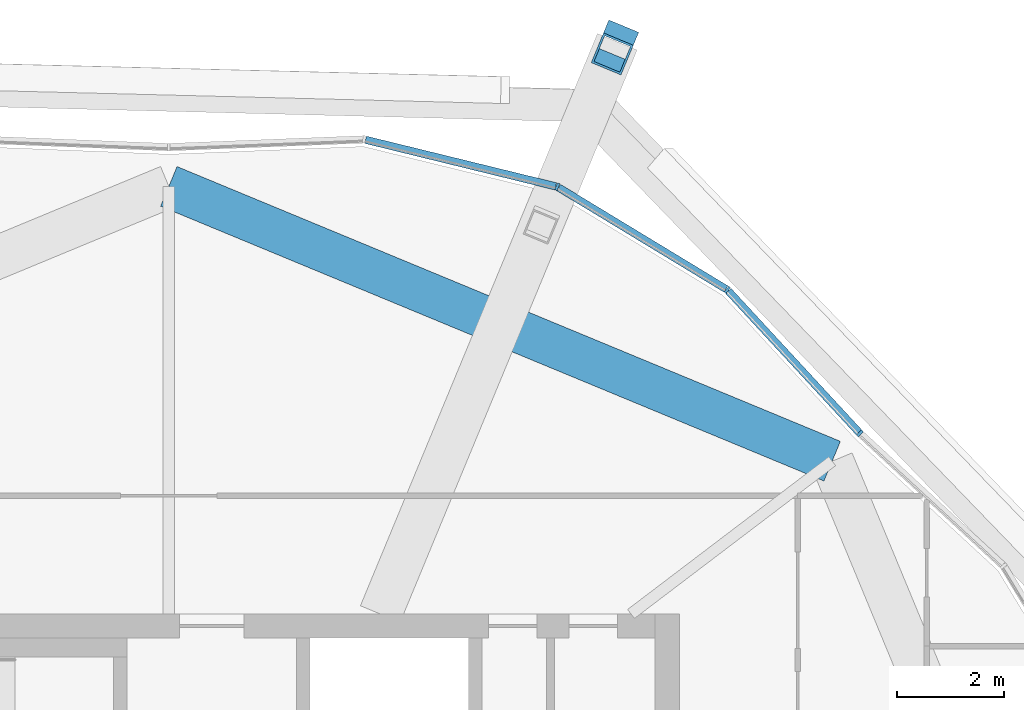
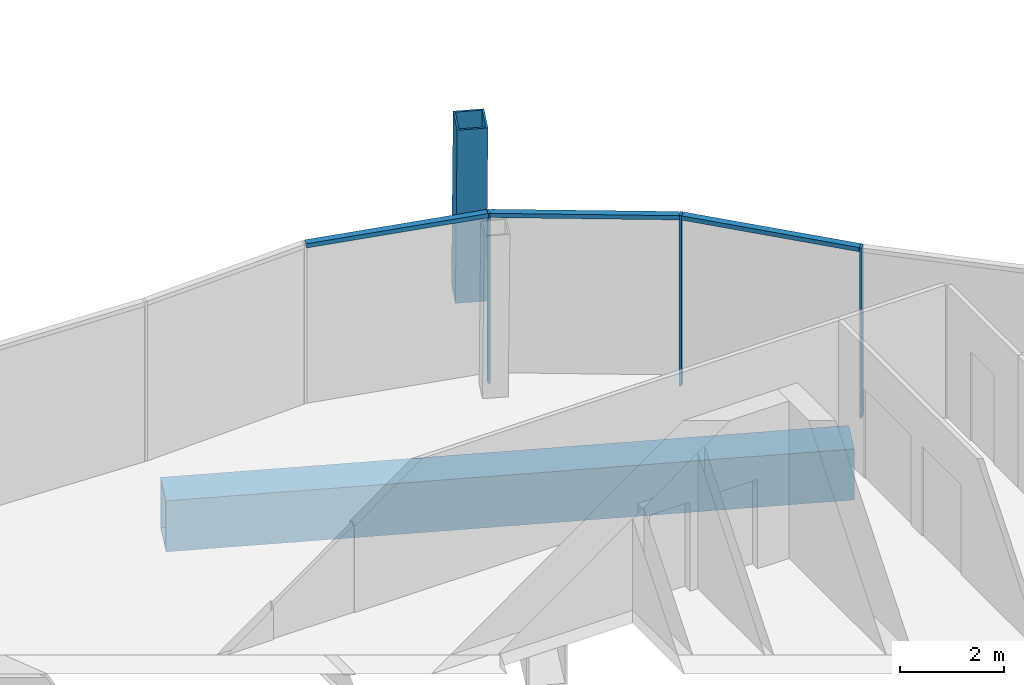
# One storey, part 12 of 34: 7 members, 1 beam, 2 elements without a shape of their own.
"""IFC4 building model written with IfcOpenShell, lengths in metres."""

from ifc_helpers import new_model, si_unit, direction, frame, origin, origin_2d, place, context, subcontext, project, spatial, rectangle, hollow_rectangle, extrude, material, material_profile, profile_set, type_object, element, aggregate, save


model = new_model("IFC4")

# Units and contexts
model_context = context("Model", 3, precision=1e-05, world=origin(), true_north=direction((0.0, 1.0)))
body_context = subcontext(model_context, "Body", "Model", "MODEL_VIEW")
ifc_project = project(units=[si_unit("LENGTHUNIT", "METRE"), si_unit("AREAUNIT", "SQUARE_METRE"), si_unit("VOLUMEUNIT", "CUBIC_METRE"), si_unit("PLANEANGLEUNIT", "RADIAN"), si_unit("MASSUNIT", "GRAM", prefix="KILO")], contexts=[model_context])

# Site, building, storey
site_placement = place(None, origin())
site = spatial("IfcSite", under=ifc_project, at=site_placement, CompositionType="ELEMENT")
building_placement = place(site_placement, origin())
building = spatial("IfcBuilding", under=site, at=building_placement, Name="Ogive Gate Towers", CompositionType="ELEMENT")
storey_placement = place(building_placement, frame((0.0, 0.0, 294.0)))
storey = spatial("IfcBuildingStorey", under=building, at=storey_placement, Name="L69", CompositionType="ELEMENT", Elevation=294.0)

# Curtain wall, member
ifc_material_1 = material(Name="Pale metal aluminium", Category="aluminium")
curtain_wall_type = type_object("IfcCurtainWallType", Name="Crown lean wall", PredefinedType="NOTDEFINED", material=ifc_material_1)
curtain_wall_1_placement = place(storey_placement, origin())
curtain_wall_1 = element("IfcCurtainWall", 1, at=curtain_wall_1_placement, inside=storey, type_object=curtain_wall_type, Name="CW5 T1 ECW01", PredefinedType="NOTDEFINED")
ifc_material_profile_1 = material_profile(ifc_material_1, rectangle(XDim=0.139892578125, YDim=0.050048828125, at=origin_2d()), Name="50 x 140 aluminium box")
ifc_profile_set_1 = profile_set([ifc_material_profile_1], Name="Pale metal aluminium")
member_type_1 = type_object("IfcMemberType", Name="Crown lean wall mullion 50 x 140", PredefinedType="MULLION", material=ifc_profile_set_1)
member_1_placement = place(storey_placement, frame((-23.14208984375, 12.859619140625, -0.300048828125), z_axis=(0.0, 0.0, 1.0), x_axis=(-0.678557197649, -0.734547567907, 0.0)))
member_1 = element("IfcMember", 2, at=member_1_placement, type_object=member_type_1, Name="CW5 mullion", PredefinedType="MULLION", context=body_context, shape_type="SweptSolid", body=[
    extrude(rectangle(XDim=0.139892578125, YDim=0.050048828125, at=origin_2d()), origin(), (0.0, 0.0, 1.0), 4.0),
])
aggregate(curtain_wall_1, [member_1])

# Curtain wall, members
curtain_wall_2_placement = place(storey_placement, origin())
curtain_wall_2 = element("IfcCurtainWall", 3, at=curtain_wall_2_placement, inside=storey, type_object=curtain_wall_type, Name="CW5 T1 ECW02", PredefinedType="NOTDEFINED")
member_2_placement = place(storey_placement, frame((-28.772705078125, 17.448486328125, -0.300048828125), z_axis=(0.0, 0.0, 1.0), x_axis=(-0.382683432365, -0.923879532511, 0.0)))
member_2 = element("IfcMember", 4, at=member_2_placement, type_object=member_type_1, Name="CW5 mullion", PredefinedType="MULLION", context=body_context, shape_type="SweptSolid", body=[
    extrude(rectangle(XDim=0.139892578125, YDim=0.050048828125, at=origin_2d()), origin(), (0.0, 0.0, 1.0), 4.0),
])
member_3_placement = place(storey_placement, frame((-25.6083984375, 15.529296875, -0.300048828125), z_axis=(0.0, 0.0, 1.0), x_axis=(-0.632759389826, -0.77434847103, 0.0)))
member_3 = element("IfcMember", 5, at=member_3_placement, type_object=member_type_1, Name="CW5 mullion", PredefinedType="MULLION", context=body_context, shape_type="SweptSolid", body=[
    extrude(rectangle(XDim=0.139892578125, YDim=0.050048828125, at=origin_2d()), origin(), (0.0, 0.0, 1.0), 4.0),
])
ifc_material_profile_2 = material_profile(ifc_material_1, rectangle(XDim=0.139892578125, YDim=0.10009765625, at=origin_2d()), Name="100 x 140 aluminium box")
ifc_profile_set_2 = profile_set([ifc_material_profile_2], Name="Pale metal aluminium")
member_type_2 = type_object("IfcMemberType", Name="Crown lean wall transom 100 x 140", PredefinedType="USERDEFINED", material=ifc_profile_set_2)
member_4_placement = place(storey_placement, frame((-32.338623046875, 18.322265625, 3.64990234375), z_axis=(0.971286879925, -0.237911321475, 0.0), x_axis=(0.237911321475, 0.971286879925, 0.0)))
member_4 = element("IfcMember", 6, at=member_4_placement, type_object=member_type_2, Name="CW5 transom", ObjectType="TRANSOM", PredefinedType="USERDEFINED", context=body_context, shape_type="SweptSolid", body=[
    extrude(rectangle(XDim=0.139892578125, YDim=0.10009765625, at=origin_2d()), origin(), (0.0, 0.0, 1.0), 3.641845703125),
])
member_5_placement = place(storey_placement, frame((-28.747314453125, 17.43359375, 3.64990234375), z_axis=(0.854998787074, -0.518629997302, 0.0), x_axis=(0.518629997302, 0.854998787074, 0.0)))
member_5 = element("IfcMember", 7, at=member_5_placement, type_object=member_type_2, Name="CW5 transom", ObjectType="TRANSOM", PredefinedType="USERDEFINED", context=body_context, shape_type="SweptSolid", body=[
    extrude(rectangle(XDim=0.139892578125, YDim=0.10009765625, at=origin_2d()), origin(), (0.0, 0.0, 1.0), 3.64208984375),
])
member_6_placement = place(storey_placement, frame((-25.58837890625, 15.508056640625, 3.64990234375), z_axis=(0.678546090414, -0.734557828346, 0.0), x_axis=(0.734557828346, 0.678546090414, 0.0)))
member_6 = element("IfcMember", 8, at=member_6_placement, type_object=member_type_2, Name="CW5 transom", ObjectType="TRANSOM", PredefinedType="USERDEFINED", context=body_context, shape_type="SweptSolid", body=[
    extrude(rectangle(XDim=0.139892578125, YDim=0.10009765625, at=origin_2d()), origin(), (0.0, 0.0, 1.0), 3.582763671875),
])
aggregate(curtain_wall_2, [member_2, member_4, member_3, member_5, member_6])

# Member
ifc_material_2 = material(Name="Steel SM460", Category="steel")
ifc_material_profile_3 = material_profile(ifc_material_2, hollow_rectangle(XDim=0.60009765625, YDim=0.60009765625, WallThickness=0.0400390625, at=origin_2d()), Name="BX 600x600x40")
ifc_profile_set_3 = profile_set([ifc_material_profile_3], Name="Steel SM460")
member_type_3 = type_object("IfcMemberType", Name="Crown rib BX 600x600x40", PredefinedType="MEMBER", material=ifc_profile_set_3)
member_7_placement = place(storey_placement, frame((-27.649658203125, 20.159423828125, -0.25), z_axis=(-0.023393742281, -0.056420201971, 0.998133003979), x_axis=(0.923742113572, -0.3830150227, 0.0)))
element("IfcMember", 9, at=member_7_placement, inside=storey, type_object=member_type_3, Name="T1/L69/STR002", PredefinedType="MEMBER", context=body_context, shape_type="SweptSolid", body=[
    extrude(hollow_rectangle(XDim=0.60009765625, YDim=0.60009765625, WallThickness=0.0400390625, at=origin_2d()), origin(), (0.0, 0.0, 1.0), 4.258056640625),
])

# Beam
ifc_material_profile_4 = material_profile(ifc_material_2, hollow_rectangle(XDim=0.800048828125, YDim=1.199951171875, WallThickness=0.050048828125, at=origin_2d()), Name="BX 1200x800x50")
ifc_profile_set_4 = profile_set([ifc_material_profile_4], Name="Steel SM460")
beam_type = type_object("IfcBeamType", Name="Edge girder BX 1200x800x50", PredefinedType="BEAM", material=ifc_profile_set_4)
beam_placement = place(storey_placement, frame((-23.657470703125, 12.342529296875, -0.89990234375), z_axis=(-0.923876732551, 0.382690191996, 0.0), x_axis=(-0.382690191996, -0.923876732551, 0.0)))
element("IfcBeam", 10, at=beam_placement, inside=storey, type_object=beam_type, Name="T1/L69/SBM029", PredefinedType="BEAM", context=body_context, shape_type="SweptSolid", body=[
    extrude(hollow_rectangle(XDim=0.800048828125, YDim=1.199951171875, WallThickness=0.050048828125, at=origin_2d()), origin(), (0.0, 0.0, 1.0), 13.359619140625),
])

save(model, "model.ifc")
